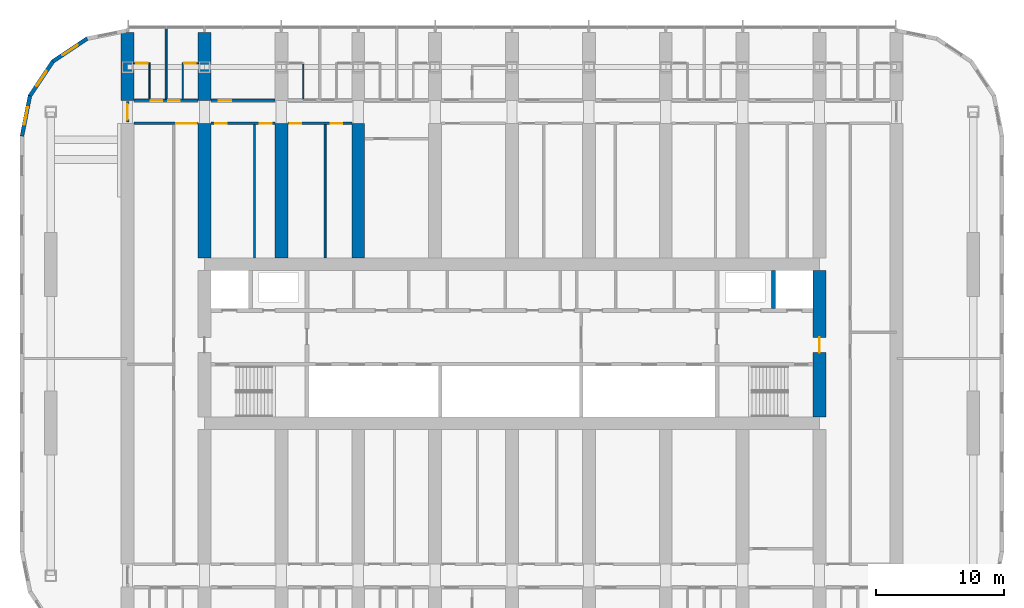
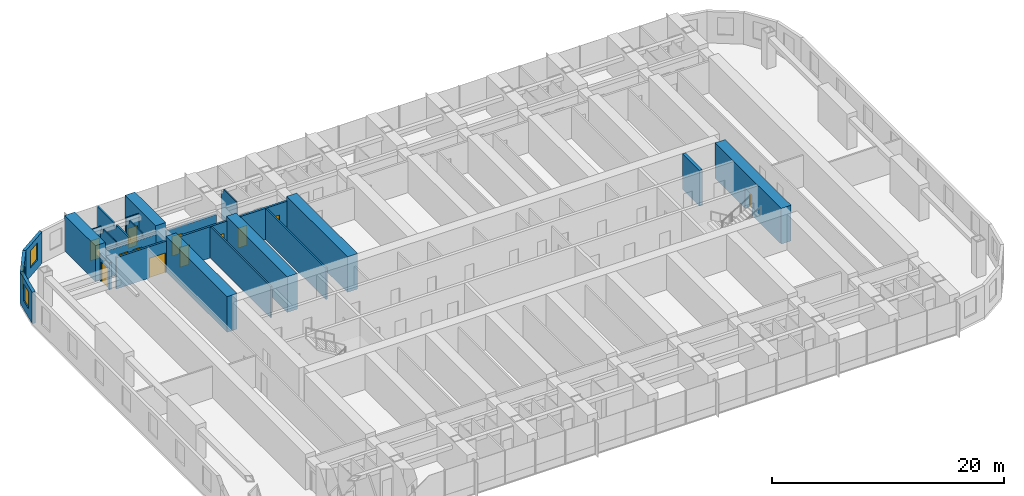
# One storey, part 14 of 23: 24 walls, 12 doors, 3 windows, 15 openings.
"""IFC4 building model written with IfcOpenShell, lengths in metres."""

from ifc_helpers import new_model, si_unit, direction, frame, frame_2d, origin, place, context, subcontext, project, spatial, polyline, rectangle, outline, extrude, material, layer, layer_set, type_object, element, fill, save


model = new_model("IFC4")

# Units and contexts
model_context = context("Model", 3, precision=1e-05, world=origin(), true_north=direction((0.0, 1.0)))
body_context = subcontext(model_context, "Body", "Model", "MODEL_VIEW")
ifc_project = project(units=[si_unit("LENGTHUNIT", "METRE"), si_unit("AREAUNIT", "SQUARE_METRE"), si_unit("VOLUMEUNIT", "CUBIC_METRE"), si_unit("PLANEANGLEUNIT", "RADIAN"), si_unit("MASSUNIT", "GRAM", prefix="KILO")], contexts=[model_context])

# Site, building, storey
site_placement = place(None, origin())
site = spatial("IfcSite", under=ifc_project, at=site_placement, CompositionType="ELEMENT")
building_placement = place(site_placement, origin())
building = spatial("IfcBuilding", under=site, at=building_placement, Name="Orbita Commons", CompositionType="ELEMENT")
storey_placement = place(building_placement, frame((0.0, 0.0, 50.199951171875)))
storey = spatial("IfcBuildingStorey", under=building, at=storey_placement, Name="L12", CompositionType="ELEMENT", Elevation=50.199951171875)

# Wall
ifc_material_1 = material(Name="Concrete C50/60", Category="concrete")
ifc_layer_1 = layer(ifc_material_1, 0.300048828125)
ifc_layer_set_1 = layer_set([ifc_layer_1], Name="Concrete C50/60")
wall_type_1 = type_object("IfcWallType", Name="Core inner wall 300 C50/60", PredefinedType="SHEAR", material=ifc_layer_set_1)
wall_1_placement = place(storey_placement, frame((62.39990234375, 34.75, 0.0), z_axis=(0.0, 0.0, 1.0), x_axis=(0.0, 1.0, 0.0)))
element("IfcWall", 1, at=wall_1_placement, inside=storey, type_object=wall_type_1, Name="Firefighting lift FL2 shaft wall L12", PredefinedType="SHEAR", context=body_context, shape_type="SweptSolid", body=[
    extrude(rectangle(XDim=2.949951171875, YDim=0.300048828125, at=frame_2d((1.47509765625, 0.0))), origin(), (0.0, 0.0, 1.0), 3.75),
])

# Wall, opening, door
ifc_material_2 = material(Name="Concrete C50/60", Category="concrete")
ifc_layer_2 = layer(ifc_material_2, 1.0)
ifc_layer_set_2 = layer_set([ifc_layer_2], Name="Concrete C50/60")
wall_type_2 = type_object("IfcWallType", Name="Core wall 1000 C50/60", PredefinedType="SHEAR", material=ifc_layer_set_2)
wall_2_placement = place(storey_placement, frame((66.0, 26.300048828125, 0.0), z_axis=(0.0, 0.0, 1.0), x_axis=(0.0, 1.0, 0.0)))
wall_2 = element("IfcWall", 2, at=wall_2_placement, inside=storey, type_object=wall_type_2, Name="Core end wall east L12", PredefinedType="SHEAR", context=body_context, shape_type="SweptSolid", body=[
    extrude(rectangle(XDim=11.39990234375, YDim=1.0, at=frame_2d((5.699951171875, 0.0))), origin(), (0.0, 0.0, 1.0), 3.75),
])
opening_1_placement = place(wall_2_placement, frame((5.0, 0.0, 0.0)))
opening_1 = element("IfcOpeningElement", 3, at=opening_1_placement, cuts=wall_2, Name="Opening D01", PredefinedType="OPENING", context=body_context, shape_type="SweptSolid", body=[
    extrude(rectangle(XDim=1.199951171875, YDim=2.10009765625, at=frame_2d((0.60009765625, 1.050048828125))), frame((0.0, 0.510009765625, 0.0), z_axis=(0.0, -1.0, 0.0), x_axis=(1.0, 0.0, 0.0)), (0.0, 0.0, 1.0), 1.02001953125),
])
ifc_material_3 = material(Name="Steel-faced fire door leaf", Category="steel")
door_type_1 = type_object("IfcDoorType", Name="Fire door 90 min 1200x2100", OperationType="SINGLE_SWING_LEFT", PredefinedType="DOOR", material=ifc_material_3)
door_1_placement = place(opening_1_placement, origin())
door_1 = element("IfcDoor", 4, at=door_1_placement, inside=storey, type_object=door_type_1, Name="Firefighting lobby east door", OperationType="SINGLE_SWING_LEFT", OverallHeight=2.10009765625, OverallWidth=1.199951171875, PredefinedType="DOOR", context=body_context, shape_type="SweptSolid", body=[
    extrude(rectangle(XDim=1.199951171875, YDim=2.10009765625, at=frame_2d((0.60009765625, 1.050048828125))), frame((0.0, 0.02490234375, 0.0), z_axis=(0.0, -1.0, 0.0), x_axis=(1.0, 0.0, 0.0)), (0.0, 0.0, 1.0), 0.050048828125),
])
fill(opening_1, door_1)

# Wall, openings, doors
ifc_material_4 = material(Name="Concrete blockwork", Category="masonry")
ifc_layer_3 = layer(ifc_material_4, 0.199951171875)
ifc_layer_set_3 = layer_set([ifc_layer_3], Name="Concrete blockwork")
wall_type_3 = type_object("IfcWallType", Name="Corridor wall 200 blockwork", PredefinedType="SOLIDWALL", material=ifc_layer_set_3)
wall_3_placement = place(storey_placement, frame((12.5, 51.0, 0.0), z_axis=(0.0, 0.0, 1.0), x_axis=(1.0, 0.0, 0.0)))
wall_3 = element("IfcWall", 5, at=wall_3_placement, inside=storey, type_object=wall_type_3, Name="Corridor wall 200 blockwork L12", PredefinedType="SOLIDWALL", context=body_context, shape_type="SweptSolid", body=[
    extrude(outline(polyline([(0.0, 0.0), (5.0, 0.0), (5.0, 2.900146484375), (0.0, 2.900146484375), (0.0, 0.0)])), frame((0.0, 0.10009765625, 0.0), z_axis=(0.0, -1.0, 0.0), x_axis=(1.0, 0.0, 0.0)), (0.0, 0.0, 1.0), 0.199951171875),
])
opening_2_placement = place(wall_3_placement, frame((1.300048828125, 0.0, 0.0)))
opening_2 = element("IfcOpeningElement", 6, at=opening_2_placement, cuts=wall_3, Name="Opening D11", PredefinedType="OPENING", context=body_context, shape_type="SweptSolid", body=[
    extrude(rectangle(XDim=0.89990234375, YDim=2.10009765625, at=frame_2d((0.449951171875, 1.050048828125))), frame((0.0, 0.10986328125, 0.0), z_axis=(0.0, -1.0, 0.0), x_axis=(1.0, 0.0, 0.0)), (0.0, 0.0, 1.0), 0.219970703125),
])
opening_3_placement = place(wall_3_placement, frame((2.675048828125, 0.0, 0.0)))
opening_3 = element("IfcOpeningElement", 7, at=opening_3_placement, cuts=wall_3, Name="Opening D11", PredefinedType="OPENING", context=body_context, shape_type="SweptSolid", body=[
    extrude(rectangle(XDim=0.89990234375, YDim=2.10009765625, at=frame_2d((0.449951171875, 1.050048828125))), frame((0.0, 0.10986328125, 0.0), z_axis=(0.0, -1.0, 0.0), x_axis=(1.0, 0.0, 0.0)), (0.0, 0.0, 1.0), 0.219970703125),
])
ifc_material_5 = material(Name="Steel-faced fire door leaf", Category="steel")
door_type_2 = type_object("IfcDoorType", Name="Corridor door 20 min 900x2100", OperationType="SINGLE_SWING_LEFT", PredefinedType="DOOR", material=ifc_material_5)
door_2_placement = place(opening_2_placement, origin())
door_2 = element("IfcDoor", 8, at=door_2_placement, inside=storey, type_object=door_type_2, Name="House bedroom L12-N00 door", OperationType="SINGLE_SWING_LEFT", OverallHeight=2.10009765625, OverallWidth=0.89990234375, PredefinedType="DOOR", context=body_context, shape_type="SweptSolid", body=[
    extrude(rectangle(XDim=0.89990234375, YDim=2.10009765625, at=frame_2d((0.449951171875, 1.050048828125))), frame((0.0, 0.02490234375, 0.0), z_axis=(0.0, -1.0, 0.0), x_axis=(1.0, 0.0, 0.0)), (0.0, 0.0, 1.0), 0.050048828125),
])
fill(opening_2, door_2)
door_3_placement = place(opening_3_placement, origin())
door_3 = element("IfcDoor", 9, at=door_3_placement, inside=storey, type_object=door_type_2, Name="House bedroom L12-N01 door", OperationType="SINGLE_SWING_LEFT", OverallHeight=2.10009765625, OverallWidth=0.89990234375, PredefinedType="DOOR", context=body_context, shape_type="SweptSolid", body=[
    extrude(rectangle(XDim=0.89990234375, YDim=2.10009765625, at=frame_2d((0.449951171875, 1.050048828125))), frame((0.0, 0.02490234375, 0.0), z_axis=(0.0, -1.0, 0.0), x_axis=(1.0, 0.0, 0.0)), (0.0, 0.0, 1.0), 0.050048828125),
])
fill(opening_3, door_3)

# Wall, opening, door
wall_4_placement = place(storey_placement, frame((18.5, 51.0, 0.0), z_axis=(0.0, 0.0, 1.0), x_axis=(1.0, 0.0, 0.0)))
wall_4 = element("IfcWall", 10, at=wall_4_placement, inside=storey, type_object=wall_type_3, Name="Corridor wall 200 blockwork L12", PredefinedType="SOLIDWALL", context=body_context, shape_type="SweptSolid", body=[
    extrude(outline(polyline([(0.0, 0.0), (5.0, 0.0), (5.0, 2.900146484375), (0.0, 2.900146484375), (0.0, 0.0)])), frame((0.0, 0.10009765625, 0.0), z_axis=(0.0, -1.0, 0.0), x_axis=(1.0, 0.0, 0.0)), (0.0, 0.0, 1.0), 0.199951171875),
])
opening_4_placement = place(wall_4_placement, frame((0.60009765625, 0.0, 0.0)))
opening_4 = element("IfcOpeningElement", 11, at=opening_4_placement, cuts=wall_4, Name="Opening D06", PredefinedType="OPENING", context=body_context, shape_type="SweptSolid", body=[
    extrude(rectangle(XDim=1.0, YDim=2.10009765625, at=frame_2d((0.5, 1.050048828125))), frame((0.0, 0.10986328125, 0.0), z_axis=(0.0, -1.0, 0.0), x_axis=(1.0, 0.0, 0.0)), (0.0, 0.0, 1.0), 0.219970703125),
])
ifc_material_6 = material(Name="Steel-faced fire door leaf", Category="steel")
door_type_3 = type_object("IfcDoorType", Name="Corridor door 20 min 1000x2100", OperationType="SINGLE_SWING_LEFT", PredefinedType="DOOR", material=ifc_material_6)
door_4_placement = place(opening_4_placement, origin())
door_4 = element("IfcDoor", 12, at=door_4_placement, inside=storey, type_object=door_type_3, Name="House common room L12-N02 door", OperationType="SINGLE_SWING_LEFT", OverallHeight=2.10009765625, OverallWidth=1.0, PredefinedType="DOOR", context=body_context, shape_type="SweptSolid", body=[
    extrude(rectangle(XDim=1.0, YDim=2.10009765625, at=frame_2d((0.5, 1.050048828125))), frame((0.0, 0.02490234375, 0.0), z_axis=(0.0, -1.0, 0.0), x_axis=(1.0, 0.0, 0.0)), (0.0, 0.0, 1.0), 0.050048828125),
])
fill(opening_4, door_4)

wall_5_placement = place(storey_placement, frame((12.0, 49.300048828125, 0.0), z_axis=(0.0, 0.0, 1.0), x_axis=(0.0, 1.0, 0.0)))
wall_5 = element("IfcWall", 13, at=wall_5_placement, inside=storey, type_object=wall_type_3, Name="Corridor wall 200 blockwork L12", PredefinedType="SOLIDWALL", context=body_context, shape_type="SweptSolid", body=[
    extrude(outline(polyline([(0.0, 0.0), (1.599853515625, 0.0), (1.60009765625, 2.85009765625), (0.0, 2.85009765625), (0.0, 0.0)])), frame((0.0, 0.10009765625, 0.0), z_axis=(0.0, -1.0, 0.0), x_axis=(1.0, 0.0, 0.0)), (0.0, 0.0, 1.0), 0.199951171875),
])
opening_5_placement = place(wall_5_placement, frame((0.199951171875, 0.0, 0.0)))
opening_5 = element("IfcOpeningElement", 14, at=opening_5_placement, cuts=wall_5, Name="Opening D12", PredefinedType="OPENING", context=body_context, shape_type="SweptSolid", body=[
    extrude(rectangle(XDim=1.199951171875, YDim=2.10009765625, at=frame_2d((0.60009765625, 1.050048828125))), frame((0.0, 0.10986328125, 0.0), z_axis=(0.0, -1.0, 0.0), x_axis=(1.0, 0.0, 0.0)), (0.0, 0.0, 1.0), 0.219970703125),
])
ifc_material_7 = material(Name="Steel-faced fire door leaf", Category="steel")
door_type_4 = type_object("IfcDoorType", Name="Double corridor door 20 min 1200x2100", OperationType="DOUBLE_DOOR_SINGLE_SWING", PredefinedType="DOOR", material=ifc_material_7)
door_5_placement = place(opening_5_placement, origin())
door_5 = element("IfcDoor", 15, at=door_5_placement, inside=storey, type_object=door_type_4, Name="Lounge doors", OperationType="DOUBLE_DOOR_SINGLE_SWING", OverallHeight=2.10009765625, OverallWidth=1.199951171875, PredefinedType="DOOR", context=body_context, shape_type="SweptSolid", body=[
    extrude(rectangle(XDim=1.199951171875, YDim=2.10009765625, at=frame_2d((0.60009765625, 1.050048828125))), frame((0.0, 0.02490234375, 0.0), z_axis=(0.0, -1.0, 0.0), x_axis=(1.0, 0.0, 0.0)), (0.0, 0.0, 1.0), 0.050048828125),
])
fill(opening_5, door_5)

ifc_material_8 = material(Name="Hollow concrete block 200", Category="concrete")
ifc_layer_4 = layer(ifc_material_8, 0.199951171875)
ifc_layer_set_4 = layer_set([ifc_layer_4], Name="Hollow concrete block 200")
wall_type_4 = type_object("IfcWallType", Name="Corridor wall 200 hollow concrete block", PredefinedType="SOLIDWALL", material=ifc_layer_set_4)
wall_6_placement = place(storey_placement, frame((12.5, 49.199951171875, 0.0), z_axis=(0.0, 0.0, 1.0), x_axis=(1.0, 0.0, 0.0)))
wall_6 = element("IfcWall", 16, at=wall_6_placement, inside=storey, type_object=wall_type_4, Name="Corridor wall 200 hollow concrete block L12", PredefinedType="SOLIDWALL", context=body_context, shape_type="SweptSolid", body=[
    extrude(rectangle(XDim=5.0, YDim=0.199951171875, at=frame_2d((2.5, 0.0))), origin(), (0.0, 0.0, 1.0), 3.300048828125),
])
opening_6_placement = place(wall_6_placement, frame((3.300048828125, 0.0, 0.0)))
opening_6 = element("IfcOpeningElement", 17, at=opening_6_placement, cuts=wall_6, Name="Opening D10", PredefinedType="OPENING", context=body_context, shape_type="SweptSolid", body=[
    extrude(rectangle(XDim=1.60009765625, YDim=2.10009765625, at=frame_2d((0.800048828125, 1.050048828125))), frame((0.0, 0.10986328125, 0.0), z_axis=(0.0, -1.0, 0.0), x_axis=(1.0, 0.0, 0.0)), (0.0, 0.0, 1.0), 0.219970703125),
])
ifc_material_9 = material(Name="Steel-faced fire door leaf", Category="steel")
door_type_5 = type_object("IfcDoorType", Name="Double corridor door 20 min 1600x2100", OperationType="DOUBLE_DOOR_SINGLE_SWING", PredefinedType="DOOR", material=ifc_material_9)
door_6_placement = place(opening_6_placement, origin())
door_6 = element("IfcDoor", 18, at=door_6_placement, inside=storey, type_object=door_type_5, Name="Cross corridor doors", OperationType="DOUBLE_DOOR_SINGLE_SWING", OverallHeight=2.10009765625, OverallWidth=1.60009765625, PredefinedType="DOOR", context=body_context, shape_type="SweptSolid", body=[
    extrude(rectangle(XDim=1.60009765625, YDim=2.10009765625, at=frame_2d((0.800048828125, 1.050048828125))), frame((0.0, 0.02490234375, 0.0), z_axis=(0.0, -1.0, 0.0), x_axis=(1.0, 0.0, 0.0)), (0.0, 0.0, 1.0), 0.050048828125),
])
fill(opening_6, door_6)

# Wall, openings, doors
wall_7_placement = place(storey_placement, frame((18.5, 49.199951171875, 0.0), z_axis=(0.0, 0.0, 1.0), x_axis=(1.0, 0.0, 0.0)))
wall_7 = element("IfcWall", 19, at=wall_7_placement, inside=storey, type_object=wall_type_4, Name="Corridor wall 200 hollow concrete block L12", PredefinedType="SOLIDWALL", context=body_context, shape_type="SweptSolid", body=[
    extrude(rectangle(XDim=5.0, YDim=0.199951171875, at=frame_2d((2.5, 0.0))), origin(), (0.0, 0.0, 1.0), 3.300048828125),
])
opening_7_placement = place(wall_7_placement, frame((0.35009765625, 0.0, 0.0)))
opening_7 = element("IfcOpeningElement", 20, at=opening_7_placement, cuts=wall_7, Name="Opening D11", PredefinedType="OPENING", context=body_context, shape_type="SweptSolid", body=[
    extrude(rectangle(XDim=0.89990234375, YDim=2.10009765625, at=frame_2d((0.449951171875, 1.050048828125))), frame((0.0, 0.10986328125, 0.0), z_axis=(0.0, -1.0, 0.0), x_axis=(1.0, 0.0, 0.0)), (0.0, 0.0, 1.0), 0.219970703125),
])
opening_8_placement = place(wall_7_placement, frame((3.830078125, 0.0, 0.0)))
opening_8 = element("IfcOpeningElement", 21, at=opening_8_placement, cuts=wall_7, Name="Opening D11", PredefinedType="OPENING", context=body_context, shape_type="SweptSolid", body=[
    extrude(rectangle(XDim=0.89990234375, YDim=2.10009765625, at=frame_2d((0.449951171875, 1.050048828125))), frame((0.0, 0.10986328125, 0.0), z_axis=(0.0, -1.0, 0.0), x_axis=(1.0, 0.0, 0.0)), (0.0, 0.0, 1.0), 0.219970703125),
])
door_7_placement = place(opening_7_placement, origin())
door_7 = element("IfcDoor", 22, at=door_7_placement, inside=storey, type_object=door_type_2, Name="Storage lockers L12-BDN18 door", OperationType="SINGLE_SWING_LEFT", OverallHeight=2.10009765625, OverallWidth=0.89990234375, PredefinedType="DOOR", context=body_context, shape_type="SweptSolid", body=[
    extrude(rectangle(XDim=0.89990234375, YDim=2.10009765625, at=frame_2d((0.449951171875, 1.050048828125))), frame((0.0, 0.02490234375, 0.0), z_axis=(0.0, -1.0, 0.0), x_axis=(1.0, 0.0, 0.0)), (0.0, 0.0, 1.0), 0.050048828125),
])
fill(opening_7, door_7)
door_8_placement = place(opening_8_placement, origin())
door_8 = element("IfcDoor", 23, at=door_8_placement, inside=storey, type_object=door_type_2, Name="Battery and UPS room L12-BDN18n door", OperationType="SINGLE_SWING_LEFT", OverallHeight=2.10009765625, OverallWidth=0.89990234375, PredefinedType="DOOR", context=body_context, shape_type="SweptSolid", body=[
    extrude(rectangle(XDim=0.89990234375, YDim=2.10009765625, at=frame_2d((0.449951171875, 1.050048828125))), frame((0.0, 0.02490234375, 0.0), z_axis=(0.0, -1.0, 0.0), x_axis=(1.0, 0.0, 0.0)), (0.0, 0.0, 1.0), 0.050048828125),
])
fill(opening_8, door_8)

wall_8_placement = place(storey_placement, frame((24.5, 49.199951171875, 0.0), z_axis=(0.0, 0.0, 1.0), x_axis=(1.0, 0.0, 0.0)))
wall_8 = element("IfcWall", 24, at=wall_8_placement, inside=storey, type_object=wall_type_4, Name="Corridor wall 200 hollow concrete block L12", PredefinedType="SOLIDWALL", context=body_context, shape_type="SweptSolid", body=[
    extrude(rectangle(XDim=5.0, YDim=0.199951171875, at=frame_2d((2.5, 0.0))), origin(), (0.0, 0.0, 1.0), 3.300048828125),
])
opening_9_placement = place(wall_8_placement, frame((0.14990234375, 0.0, 0.0)))
opening_9 = element("IfcOpeningElement", 25, at=opening_9_placement, cuts=wall_8, Name="Opening D11", PredefinedType="OPENING", context=body_context, shape_type="SweptSolid", body=[
    extrude(rectangle(XDim=0.89990234375, YDim=2.10009765625, at=frame_2d((0.449951171875, 1.050048828125))), frame((0.0, 0.10986328125, 0.0), z_axis=(0.0, -1.0, 0.0), x_axis=(1.0, 0.0, 0.0)), (0.0, 0.0, 1.0), 0.219970703125),
])
opening_10_placement = place(wall_8_placement, frame((3.3349609375, 0.0, 0.0)))
opening_10 = element("IfcOpeningElement", 26, at=opening_10_placement, cuts=wall_8, Name="Opening D11", PredefinedType="OPENING", context=body_context, shape_type="SweptSolid", body=[
    extrude(rectangle(XDim=0.89990234375, YDim=2.10009765625, at=frame_2d((0.449951171875, 1.050048828125))), frame((0.0, 0.10986328125, 0.0), z_axis=(0.0, -1.0, 0.0), x_axis=(1.0, 0.0, 0.0)), (0.0, 0.0, 1.0), 0.219970703125),
])
door_9_placement = place(opening_9_placement, origin())
door_9 = element("IfcDoor", 27, at=door_9_placement, inside=storey, type_object=door_type_2, Name="Ventilation plant room south L12-BDN24 door", OperationType="SINGLE_SWING_LEFT", OverallHeight=2.10009765625, OverallWidth=0.89990234375, PredefinedType="DOOR", context=body_context, shape_type="SweptSolid", body=[
    extrude(rectangle(XDim=0.89990234375, YDim=2.10009765625, at=frame_2d((0.449951171875, 1.050048828125))), frame((0.0, 0.02490234375, 0.0), z_axis=(0.0, -1.0, 0.0), x_axis=(1.0, 0.0, 0.0)), (0.0, 0.0, 1.0), 0.050048828125),
])
fill(opening_9, door_9)
door_10_placement = place(opening_10_placement, origin())
door_10 = element("IfcDoor", 28, at=door_10_placement, inside=storey, type_object=door_type_2, Name="Sprinkler valve room L12-BDN24n door", OperationType="SINGLE_SWING_LEFT", OverallHeight=2.10009765625, OverallWidth=0.89990234375, PredefinedType="DOOR", context=body_context, shape_type="SweptSolid", body=[
    extrude(rectangle(XDim=0.89990234375, YDim=2.10009765625, at=frame_2d((0.449951171875, 1.050048828125))), frame((0.0, 0.02490234375, 0.0), z_axis=(0.0, -1.0, 0.0), x_axis=(1.0, 0.0, 0.0)), (0.0, 0.0, 1.0), 0.050048828125),
])
fill(opening_10, door_10)

# Walls
ifc_material_10 = material(Name="Concrete C50/60", Category="concrete")
ifc_layer_5 = layer(ifc_material_10, 1.0)
ifc_layer_set_5 = layer_set([ifc_layer_5], Name="Concrete C50/60")
wall_type_5 = type_object("IfcWallType", Name="Cross wall 1000 C50/60", PredefinedType="SHEAR", material=ifc_layer_set_5)
for number, where, z_axis, x_axis, name in (
    (29, (12.0, 51.0, 0.0), (0.0, 0.0, 1.0), (0.0, 1.0, 0.0), "Cross wall 3 north outer L12"),
    (30, (18.0, 51.0, 0.0), (0.0, 0.0, 1.0), (0.0, 1.0, 0.0), "Cross wall 4 north outer L12"),
):
    element("IfcWall", number, at=place(storey_placement, frame(where, z_axis=z_axis, x_axis=x_axis)), inside=storey, type_object=wall_type_5, Name=name, PredefinedType="SHEAR", context=body_context, shape_type="SweptSolid", body=[
        extrude(rectangle(XDim=5.300048828125, YDim=1.0, at=frame_2d((2.64990234375, 0.0))), origin(), (0.0, 0.0, 1.0), 3.75),
    ])
for number, where, z_axis, x_axis, name in (
    (31, (18.0, 38.699951171875, 0.0), (0.0, 0.0, 1.0), (0.0, 1.0, 0.0), "Cross wall 4 north inner L12"),
    (32, (24.0, 38.699951171875, 0.0), (0.0, 0.0, 1.0), (0.0, 1.0, 0.0), "Cross wall 5 north inner L12"),
    (33, (30.0, 38.699951171875, 0.0), (0.0, 0.0, 1.0), (0.0, 1.0, 0.0), "Cross wall 6 north inner L12"),
):
    element("IfcWall", number, at=place(storey_placement, frame(where, z_axis=z_axis, x_axis=x_axis)), inside=storey, type_object=wall_type_5, Name=name, PredefinedType="SHEAR", context=body_context, shape_type="SweptSolid", body=[
        extrude(rectangle(XDim=10.5, YDim=1.0, at=frame_2d((5.25, 0.0))), origin(), (0.0, 0.0, 1.0), 3.75),
    ])

# Wall, opening, door
ifc_material_11 = material(Name="Moisture-resistant plasterboard on steel studs", Category="steel")
ifc_layer_6 = layer(ifc_material_11, 0.10009765625)
ifc_layer_set_6 = layer_set([ifc_layer_6], Name="Moisture-resistant plasterboard on steel studs")
wall_type_6 = type_object("IfcWallType", Name="En-suite partition 100", PredefinedType="PARTITIONING", material=ifc_layer_set_6)
wall_9_placement = place(storey_placement, frame((12.449951171875, 53.89990234375, 0.0), z_axis=(0.0, 0.0, 1.0), x_axis=(1.0, 0.0, 0.0)))
wall_9 = element("IfcWall", 34, at=wall_9_placement, inside=storey, type_object=wall_type_6, Name="En-suite partition 100 L12", PredefinedType="PARTITIONING", context=body_context, shape_type="SweptSolid", body=[
    extrude(rectangle(XDim=1.300048828125, YDim=0.10009765625, at=frame_2d((0.64990234375, 0.0))), origin(), (0.0, 0.0, 1.0), 3.300048828125),
])
opening_11_placement = place(wall_9_placement, frame((0.22509765625, 0.0, 0.0)))
opening_11 = element("IfcOpeningElement", 35, at=opening_11_placement, cuts=wall_9, Name="Opening D09", PredefinedType="OPENING", context=body_context, shape_type="SweptSolid", body=[
    extrude(rectangle(XDim=0.89990234375, YDim=2.10009765625, at=frame_2d((0.449951171875, 1.050048828125))), frame((0.0, 0.06005859375, 0.0), z_axis=(0.0, -1.0, 0.0), x_axis=(1.0, 0.0, 0.0)), (0.0, 0.0, 1.0), 0.1201171875),
])
ifc_material_12 = material(Name="Laminated timber door leaf", Category="wood")
door_type_6 = type_object("IfcDoorType", Name="En-suite door 900x2100", OperationType="SINGLE_SWING_RIGHT", PredefinedType="DOOR", material=ifc_material_12)
door_11_placement = place(opening_11_placement, origin())
door_11 = element("IfcDoor", 36, at=door_11_placement, inside=storey, type_object=door_type_6, Name="En-suite L12-N00 door", OperationType="SINGLE_SWING_RIGHT", OverallHeight=2.10009765625, OverallWidth=0.89990234375, PredefinedType="DOOR", context=body_context, shape_type="SweptSolid", body=[
    extrude(rectangle(XDim=0.89990234375, YDim=2.10009765625, at=frame_2d((0.449951171875, 1.050048828125))), frame((0.0, 0.02490234375, 0.0), z_axis=(0.0, -1.0, 0.0), x_axis=(1.0, 0.0, 0.0)), (0.0, 0.0, 1.0), 0.050048828125),
])
fill(opening_11, door_11)

# Wall
wall_10_placement = place(storey_placement, frame((13.699951171875, 53.85009765625, 0.0), z_axis=(0.0, 0.0, 1.0), x_axis=(0.0, -1.0, 0.0)))
element("IfcWall", 37, at=wall_10_placement, inside=storey, type_object=wall_type_6, Name="En-suite partition 100 L12", PredefinedType="PARTITIONING", context=body_context, shape_type="SweptSolid", body=[
    extrude(outline(polyline([(0.0, 0.0), (2.75, 0.0), (2.75, 2.900146484375), (2.701904296875, 2.900146484375), (2.699951171875, 3.300048828125), (0.451904296875, 3.300048828125), (0.449951171875, 2.900146484375), (0.0, 2.900146484375), (0.0, 0.0)])), frame((0.0, 0.050048828125, 0.0), z_axis=(0.0, -1.0, 0.0), x_axis=(1.0, 0.0, 0.0)), (0.0, 0.0, 1.0), 0.10009765625),
])

# Wall, opening, door
wall_11_placement = place(storey_placement, frame((16.25, 53.89990234375, 0.0), z_axis=(0.0, 0.0, 1.0), x_axis=(1.0, 0.0, 0.0)))
wall_11 = element("IfcWall", 38, at=wall_11_placement, inside=storey, type_object=wall_type_6, Name="En-suite partition 100 L12", PredefinedType="PARTITIONING", context=body_context, shape_type="SweptSolid", body=[
    extrude(rectangle(XDim=1.300048828125, YDim=0.10009765625, at=frame_2d((0.64990234375, 0.0))), origin(), (0.0, 0.0, 1.0), 3.300048828125),
])
opening_12_placement = place(wall_11_placement, frame((0.175048828125, 0.0, 0.0)))
opening_12 = element("IfcOpeningElement", 39, at=opening_12_placement, cuts=wall_11, Name="Opening D09", PredefinedType="OPENING", context=body_context, shape_type="SweptSolid", body=[
    extrude(rectangle(XDim=0.89990234375, YDim=2.10009765625, at=frame_2d((0.449951171875, 1.050048828125))), frame((0.0, 0.06005859375, 0.0), z_axis=(0.0, -1.0, 0.0), x_axis=(1.0, 0.0, 0.0)), (0.0, 0.0, 1.0), 0.1201171875),
])
door_12_placement = place(opening_12_placement, origin())
door_12 = element("IfcDoor", 40, at=door_12_placement, inside=storey, type_object=door_type_6, Name="En-suite L12-N01 door", OperationType="SINGLE_SWING_RIGHT", OverallHeight=2.10009765625, OverallWidth=0.89990234375, PredefinedType="DOOR", context=body_context, shape_type="SweptSolid", body=[
    extrude(rectangle(XDim=0.89990234375, YDim=2.10009765625, at=frame_2d((0.449951171875, 1.050048828125))), frame((0.0, 0.02490234375, 0.0), z_axis=(0.0, -1.0, 0.0), x_axis=(1.0, 0.0, 0.0)), (0.0, 0.0, 1.0), 0.050048828125),
])
fill(opening_12, door_12)

# Walls
for number, where, z_axis, x_axis, name in (
    (41, (16.300048828125, 53.85009765625, 0.0), (0.0, 0.0, 1.0), (0.0, -1.0, 0.0), "En-suite partition 100 L12"),
    (42, (25.699951171875, 53.85009765625, 0.0), (0.0, 0.0, 1.0), (0.0, -1.0, 0.0), "En-suite partition 100 L12"),
):
    element("IfcWall", number, at=place(storey_placement, frame(where, z_axis=z_axis, x_axis=x_axis)), inside=storey, type_object=wall_type_6, Name=name, PredefinedType="PARTITIONING", context=body_context, shape_type="SweptSolid", body=[
        extrude(outline(polyline([(0.0, 0.0), (2.75, 0.0), (2.75, 2.900146484375), (2.701904296875, 2.900146484375), (2.699951171875, 3.300048828125), (0.451904296875, 3.300048828125), (0.449951171875, 2.900146484375), (0.0, 2.900146484375), (0.0, 0.0)])), frame((0.0, 0.050048828125, 0.0), z_axis=(0.0, -1.0, 0.0), x_axis=(1.0, 0.0, 0.0)), (0.0, 0.0, 1.0), 0.10009765625),
    ])
ifc_material_13 = material(Name="Gypsum plasterboard on steel studs", Category="steel")
ifc_layer_7 = layer(ifc_material_13, 0.14990234375)
ifc_layer_set_7 = layer_set([ifc_layer_7], Name="Gypsum plasterboard on steel studs")
wall_type_7 = type_object("IfcWallType", Name="Partition 150 plasterboard", PredefinedType="PARTITIONING", material=ifc_layer_set_7)
for number, where, z_axis, x_axis, name in (
    (43, (21.905029296875, 38.699951171875, 0.0), (0.0, 0.0, 1.0), (0.0, 1.0, 0.0), "Partition 150 plasterboard L12"),
    (44, (27.409912109375, 38.699951171875, 0.0), (0.0, 0.0, 1.0), (0.0, 1.0, 0.0), "Partition 150 plasterboard L12"),
):
    element("IfcWall", number, at=place(storey_placement, frame(where, z_axis=z_axis, x_axis=x_axis)), inside=storey, type_object=wall_type_7, Name=name, PredefinedType="PARTITIONING", context=body_context, shape_type="SweptSolid", body=[
        extrude(rectangle(XDim=10.400146484375, YDim=0.14990234375, at=frame_2d((5.2001953125, 0.0))), origin(), (0.0, 0.0, 1.0), 3.300048828125),
    ])
ifc_material_14 = material(Name="Gypsum plasterboard on steel studs", Category="steel")
ifc_layer_8 = layer(ifc_material_14, 0.14990234375)
ifc_layer_set_8 = layer_set([ifc_layer_8], Name="Gypsum plasterboard on steel studs")
wall_type_8 = type_object("IfcWallType", Name="Party wall 150 plasterboard", PredefinedType="PARTITIONING", material=ifc_layer_set_8)
wall_12_placement = place(storey_placement, frame((15.0, 56.590087890625, 0.0), z_axis=(0.0, 0.0, 1.0), x_axis=(0.0, -1.0, 0.0)))
element("IfcWall", 45, at=wall_12_placement, inside=storey, type_object=wall_type_8, Name="Party wall 150 plasterboard L12", PredefinedType="PARTITIONING", context=body_context, shape_type="SweptSolid", body=[
    extrude(outline(polyline([(0.0, 0.0), (5.489990234375, 0.0), (5.489990234375, 2.900146484375), (5.44189453125, 2.900146484375), (5.43994140625, 3.300048828125), (3.19189453125, 3.300048828125), (3.18994140625, 2.900146484375), (2.7919921875, 2.900146484375), (2.7900390625, 3.300048828125), (0.0, 3.300048828125), (0.0, 0.0)])), frame((0.0, 0.074951171875, 0.0), z_axis=(0.0, -1.0, 0.0), x_axis=(1.0, 0.0, 0.0)), (0.0, 0.0, 1.0), 0.14990234375),
])

# Wall, opening, window
ifc_material_15 = material(Name="Precast concrete C40/50, white board-marked finish", Category="concrete")
ifc_layer_9 = layer(ifc_material_15, 0.300048828125)
ifc_layer_set_9 = layer_set([ifc_layer_9], Name="Precast concrete C40/50, white board-marked finish")
wall_type_9 = type_object("IfcWallType", Name="Precast concrete end shield 300", PredefinedType="SOLIDWALL", material=ifc_layer_set_9)
wall_13_placement = place(storey_placement, frame((8.843017578125, 55.822021484375, 0.0), z_axis=(0.0, 0.0, 1.0), x_axis=(-0.831478105043, -0.555557522525, 0.0)))
wall_13 = element("IfcWall", 46, at=wall_13_placement, inside=storey, type_object=wall_type_9, Name="End shield NW chord 2 L12", PredefinedType="SOLIDWALL", context=body_context, shape_type="SweptSolid", body=[
    extrude(outline(polyline([(-0.02978515625, -0.14990234375), (3.248779296875, -0.14990234375), (3.189208984375, 0.14990234375), (0.02978515625, 0.14990234375), (-0.02978515625, -0.14990234375)])), origin(), (0.0, 0.0, 1.0), 3.300048828125),
])
opening_13_placement = place(wall_13_placement, frame((0.909423828125, 0.0, 0.89990234375)))
opening_13 = element("IfcOpeningElement", 47, at=opening_13_placement, cuts=wall_13, Name="Opening W02", PredefinedType="OPENING", context=body_context, shape_type="SweptSolid", body=[
    extrude(rectangle(XDim=1.39990234375, YDim=1.800048828125, at=frame_2d((0.699951171875, 0.89990234375))), frame((0.0, 0.159912109375, 0.0), z_axis=(0.0, -1.0, 0.0), x_axis=(1.0, 0.0, 0.0)), (0.0, 0.0, 1.0), 0.320068359375),
])
ifc_material_16 = material(Name="Aluminium frame, clear double glazing", Category="aluminium")
window_type = type_object("IfcWindowType", Name="Deep-set window 1400x1800", PartitioningType="SINGLE_PANEL", PredefinedType="WINDOW", material=ifc_material_16)
window_1_placement = place(opening_13_placement, origin())
window_1 = element("IfcWindow", 48, at=window_1_placement, inside=storey, type_object=window_type, Name="Window L12-NW1", OverallHeight=1.800048828125, OverallWidth=1.39990234375, PartitioningType="SINGLE_PANEL", PredefinedType="WINDOW", context=body_context, shape_type="SweptSolid", body=[
    extrude(rectangle(XDim=1.39990234375, YDim=1.800048828125, at=frame_2d((0.699951171875, 0.89990234375))), frame((0.0, 0.030029296875, 0.0), z_axis=(0.0, -1.0, 0.0), x_axis=(1.0, 0.0, 0.0)), (0.0, 0.0, 1.0), 0.06005859375),
])
fill(opening_13, window_1)

wall_14_placement = place(storey_placement, frame((6.16650390625, 54.03369140625, 0.0), z_axis=(0.0, 0.0, 1.0), x_axis=(-0.555609954424, -0.831443069936, 0.0)))
wall_14 = element("IfcWall", 49, at=wall_14_placement, inside=storey, type_object=wall_type_9, Name="End shield NW chord 3 L12", PredefinedType="SOLIDWALL", context=body_context, shape_type="SweptSolid", body=[
    extrude(outline(polyline([(-0.02978515625, -0.14990234375), (3.2490234375, -0.14990234375), (3.189453125, 0.14990234375), (0.02978515625, 0.14990234375), (-0.02978515625, -0.14990234375)])), origin(), (0.0, 0.0, 1.0), 3.300048828125),
])
opening_14_placement = place(wall_14_placement, frame((0.909423828125, 0.0, 0.89990234375)))
opening_14 = element("IfcOpeningElement", 50, at=opening_14_placement, cuts=wall_14, Name="Opening W02", PredefinedType="OPENING", context=body_context, shape_type="SweptSolid", body=[
    extrude(rectangle(XDim=1.39990234375, YDim=1.800048828125, at=frame_2d((0.699951171875, 0.89990234375))), frame((0.0, 0.159912109375, 0.0), z_axis=(0.0, -1.0, 0.0), x_axis=(1.0, 0.0, 0.0)), (0.0, 0.0, 1.0), 0.320068359375),
])
window_2_placement = place(opening_14_placement, origin())
window_2 = element("IfcWindow", 51, at=window_2_placement, inside=storey, type_object=window_type, Name="Window L12-NW2", OverallHeight=1.800048828125, OverallWidth=1.39990234375, PartitioningType="SINGLE_PANEL", PredefinedType="WINDOW", context=body_context, shape_type="SweptSolid", body=[
    extrude(rectangle(XDim=1.39990234375, YDim=1.800048828125, at=frame_2d((0.699951171875, 0.89990234375))), frame((0.0, 0.030029296875, 0.0), z_axis=(0.0, -1.0, 0.0), x_axis=(1.0, 0.0, 0.0)), (0.0, 0.0, 1.0), 0.06005859375),
])
fill(opening_14, window_2)

wall_15_placement = place(storey_placement, frame((4.3779296875, 51.357177734375, 0.0), z_axis=(0.0, 0.0, 1.0), x_axis=(-0.195065901187, -0.980790137692, 0.0)))
wall_15 = element("IfcWall", 52, at=wall_15_placement, inside=storey, type_object=wall_type_9, Name="End shield NW chord 4 L12", PredefinedType="SOLIDWALL", context=body_context, shape_type="SweptSolid", body=[
    extrude(outline(polyline([(-0.02978515625, -0.14990234375), (3.23388671875, -0.14990234375), (3.2041015625, 0.14990234375), (0.02978515625, 0.14990234375), (-0.02978515625, -0.14990234375)])), origin(), (0.0, 0.0, 1.0), 3.300048828125),
])
opening_15_placement = place(wall_15_placement, frame((0.909423828125, 0.0, 0.89990234375)))
opening_15 = element("IfcOpeningElement", 53, at=opening_15_placement, cuts=wall_15, Name="Opening W02", PredefinedType="OPENING", context=body_context, shape_type="SweptSolid", body=[
    extrude(rectangle(XDim=1.39990234375, YDim=1.800048828125, at=frame_2d((0.699951171875, 0.89990234375))), frame((0.0, 0.159912109375, 0.0), z_axis=(0.0, -1.0, 0.0), x_axis=(1.0, 0.0, 0.0)), (0.0, 0.0, 1.0), 0.320068359375),
])
window_3_placement = place(opening_15_placement, origin())
window_3 = element("IfcWindow", 54, at=window_3_placement, inside=storey, type_object=window_type, Name="Window L12-NW3", OverallHeight=1.800048828125, OverallWidth=1.39990234375, PartitioningType="SINGLE_PANEL", PredefinedType="WINDOW", context=body_context, shape_type="SweptSolid", body=[
    extrude(rectangle(XDim=1.39990234375, YDim=1.800048828125, at=frame_2d((0.699951171875, 0.89990234375))), frame((0.0, 0.030029296875, 0.0), z_axis=(0.0, -1.0, 0.0), x_axis=(1.0, 0.0, 0.0)), (0.0, 0.0, 1.0), 0.06005859375),
])
fill(opening_15, window_3)

save(model, "model.ifc")
